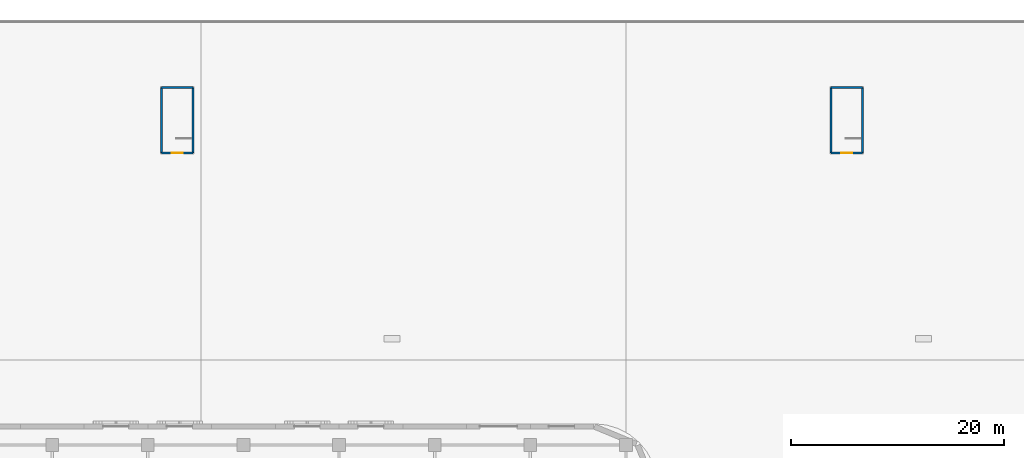
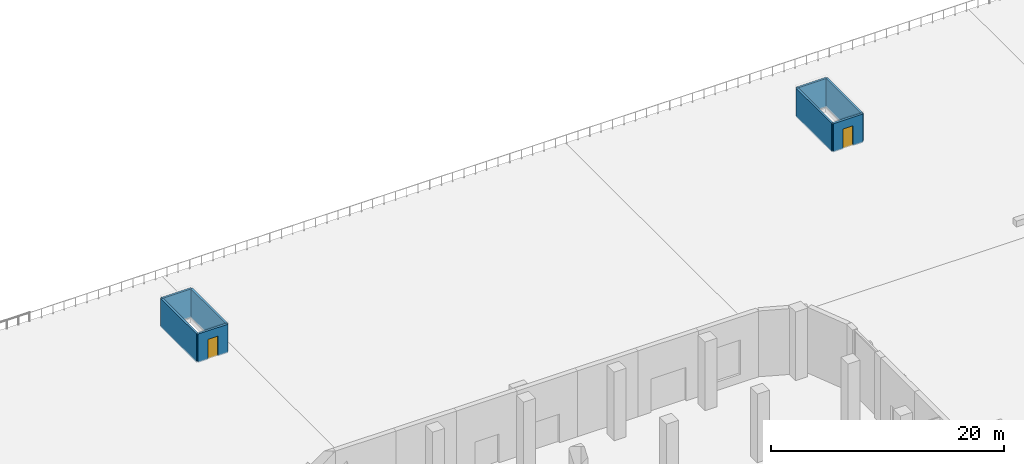
# One storey, part 34 of 48: 8 walls, 2 doors, 2 openings.
"""IFC4 building model written with IfcOpenShell, lengths in metres."""

import ifcopenshell
import ifcopenshell.guid

model = None  # the IFC model being written
_history = None  # IfcOwnerHistory: only IFC2X3 demands one
_inside = {}  # id of a spatial element -> (the spatial element, [elements in it])
_under = {}  # id of a project, library or spatial element -> (it, [spatial elements below it])
_declared = {}  # id of a project -> (the project, [libraries it declares])
_typed = {}  # id of a type object -> (the type object, [elements of that type])
_made_of = {}  # id of a material, layer set ... -> (it, [elements and type objects made of it])


def new_model(schema):
    """Start an empty IFC model of exactly this schema.

    Asked for "IFC4X3", IfcOpenShell would pick the latest addendum, in which some entities
    have other attributes; the version numbers below select the first issue.
    IFC2X3 requires an IfcOwnerHistory on every rooted entity: one is made here for all.
    """
    global model, _history
    if schema == "IFC4X3":
        model = ifcopenshell.file(schema_version=(4, 3, 0, 0))
    else:
        model = ifcopenshell.file(schema=schema)
    _inside.clear()
    _under.clear()
    _declared.clear()
    _typed.clear()
    _made_of.clear()
    _history = None
    if model.schema == "IFC2X3":
        org = make("IfcOrganization", Name="unknown")
        user = make(
            "IfcPersonAndOrganization",
            ThePerson=make("IfcPerson", FamilyName="unknown"),
            TheOrganization=org,
        )
        app = make(
            "IfcApplication",
            ApplicationDeveloper=org,
            Version="unknown",
            ApplicationFullName="unknown",
            ApplicationIdentifier="unknown",
        )
        _history = make(
            "IfcOwnerHistory",
            OwningUser=user,
            OwningApplication=app,
            ChangeAction="ADDED",
            CreationDate=0,
        )
    return model


def make(cls, **values):
    """One entity of the class cls with the attributes given. An attribute that is None is left unset."""
    return model.create_entity(
        cls, **{name: value for name, value in values.items() if value is not None}
    )


def rooted(cls, **values):
    """An entity with a GlobalId (a new one), such as an element, a storey or a relation."""
    return make(cls, GlobalId=ifcopenshell.guid.new(), OwnerHistory=_history, **values)


def si_unit(unit_type, name, prefix=None):
    """IfcSIUnit, for example si_unit("LENGTHUNIT", "METRE", prefix="MILLI")."""
    return make("IfcSIUnit", UnitType=unit_type, Prefix=prefix, Name=name)


def assignment(units):
    """IfcUnitAssignment: the units of a project."""
    return None if units is None else make("IfcUnitAssignment", Units=units)


def point(xyz):
    """IfcCartesianPoint."""
    return None if xyz is None else make("IfcCartesianPoint", Coordinates=xyz)


def direction(xyz):
    """IfcDirection."""
    return None if xyz is None else make("IfcDirection", DirectionRatios=xyz)


def frame(location, z_axis=None, x_axis=None):
    """IfcAxis2Placement3D, a coordinate frame: its origin and axes. An axis left out is left unset."""
    return make(
        "IfcAxis2Placement3D",
        Location=point(location),
        Axis=direction(z_axis),
        RefDirection=direction(x_axis),
    )


def frame_2d(location, x_axis=None):
    """IfcAxis2Placement2D, a coordinate frame in the plane: its origin and x axis."""
    return make(
        "IfcAxis2Placement2D", Location=point(location), RefDirection=direction(x_axis)
    )


def origin():
    """The frame at (0, 0, 0) with its axes left unset."""
    return frame((0.0, 0.0, 0.0))


def place(relative_to, where):
    """IfcLocalPlacement: puts the frame where relative to a parent placement (None: the world)."""
    return make(
        "IfcLocalPlacement", PlacementRelTo=relative_to, RelativePlacement=where
    )


def context(
    kind, dimensions, precision=None, world=None, true_north=None, identifier=None
):
    """IfcGeometricRepresentationContext, for example the 3D "Model" context."""
    return make(
        "IfcGeometricRepresentationContext",
        ContextIdentifier=identifier,
        ContextType=kind,
        CoordinateSpaceDimension=dimensions,
        Precision=precision,
        WorldCoordinateSystem=world,
        TrueNorth=true_north,
    )


def subcontext(parent, identifier, kind, view, scale=None):
    """IfcGeometricRepresentationSubContext, for example "Body" below "Model"."""
    return make(
        "IfcGeometricRepresentationSubContext",
        ContextIdentifier=identifier,
        ContextType=kind,
        ParentContext=parent,
        TargetScale=scale,
        TargetView=view,
    )


def project(units=None, contexts=None):
    """IfcProject with its units and contexts."""
    return rooted(
        "IfcProject",
        Name="project",
        RepresentationContexts=contexts,
        UnitsInContext=assignment(units),
    )


def spatial(cls, under=None, at=None, **own):
    """A site, building, storey or space (cls), placed at a placement, below another one or the project."""
    s = rooted(cls, ObjectPlacement=at, **own)
    if under is not None:
        _under.setdefault(under.id(), (under, []))[1].append(s)
    return s


def profile(cls, at=None, kind="AREA", **sizes):
    """A parametric profile (cls). Its sizes go by their IFC names, for example OverallWidth=200.0."""
    return make(cls, ProfileType=kind, Position=at, **sizes)


def rectangle(**sizes):
    """IfcRectangleProfileDef."""
    return profile("IfcRectangleProfileDef", **sizes)


def extrude(swept, where, along, depth):
    """IfcExtrudedAreaSolid: the profile swept, set in the frame where, extruded along a direction by depth."""
    return make(
        "IfcExtrudedAreaSolid",
        SweptArea=swept,
        Position=where,
        ExtrudedDirection=direction(along),
        Depth=depth,
    )


def shape(context_of_items, identifier, shape_type, items):
    """IfcShapeRepresentation: the items that make up one representation, for example the "Body"."""
    return make(
        "IfcShapeRepresentation",
        ContextOfItems=context_of_items,
        RepresentationIdentifier=identifier,
        RepresentationType=shape_type,
        Items=items,
    )


def material(Name=None, Category=None):
    """IfcMaterial."""
    return make("IfcMaterial", Name=Name, Category=Category)


def layer(
    of_material, thickness, ventilated=None, Name=None, Category=None, Priority=None
):
    """IfcMaterialLayer: one layer of a wall or slab, of a material (None: an air gap)."""
    return make(
        "IfcMaterialLayer",
        Material=of_material,
        LayerThickness=thickness,
        IsVentilated=ventilated,
        Name=Name,
        Category=Category,
        Priority=Priority,
    )


def layer_set(layers, Name=None):
    """IfcMaterialLayerSet."""
    return make("IfcMaterialLayerSet", MaterialLayers=layers, LayerSetName=Name)


def made_of(thing, what):
    """Note that an element or type object is made of a material, layer set ...; save() writes the relation."""
    if what is not None:
        _made_of.setdefault(what.id(), (what, []))[1].append(thing)
    return thing


def type_object(cls, material=None, **own):
    """A type object (cls), such as IfcWallType, which elements share."""
    return made_of(rooted(cls, **own), material)


def element(
    cls,
    number,
    at=None,
    inside=None,
    cuts=None,
    type_object=None,
    material=None,
    context=None,
    identifier="Body",
    shape_type=None,
    held_by="IfcProductDefinitionShape",
    body=None,
    shapes=None,
    **own,
):
    """One element of the class cls, such as IfcWall. Its Tag is "e" and its number.

    at: its placement. inside: the storey or other place that contains it. cuts: it is an
    opening in that element (IfcRelVoidsElement). A single representation is given by context,
    identifier, shape_type and body (its items); several are given by shapes. held_by: the class
    of the entity that holds the representations. save() writes the other relations.
    """
    e = rooted(cls, Tag="e%d" % number, ObjectPlacement=at, **own)
    if body is not None:
        shapes = [shape(context, identifier, shape_type, body)]
    if shapes is not None:
        e.Representation = make(held_by, Representations=shapes)
    if inside is not None:
        _inside.setdefault(inside.id(), (inside, []))[1].append(e)
    if cuts is not None:
        rooted(
            "IfcRelVoidsElement", RelatingBuildingElement=cuts, RelatedOpeningElement=e
        )
    if type_object is not None:
        _typed.setdefault(type_object.id(), (type_object, []))[1].append(e)
    return made_of(e, material)


def fill(opening, filler):
    """IfcRelFillsElement: the door or window that sits in an opening."""
    return rooted(
        "IfcRelFillsElement",
        RelatingOpeningElement=opening,
        RelatedBuildingElement=filler,
    )


def aggregate(whole, parts):
    """IfcRelAggregates: a whole, such as a stair, and the parts it consists of."""
    return rooted("IfcRelAggregates", RelatingObject=whole, RelatedObjects=parts)


def save(model, path):
    """Write the relations noted so far, then the file.

    IfcRelAggregates (storeys below a building ...), IfcRelContainedInSpatialStructure (elements
    in a storey), IfcRelDefinesByType, IfcRelAssociatesMaterial and IfcRelDeclares: one each for
    every whole, place, type object, material and project.
    """
    for whole, parts in _under.values():
        aggregate(whole, parts)
    for where, things in _inside.values():
        rooted(
            "IfcRelContainedInSpatialStructure",
            RelatedElements=things,
            RelatingStructure=where,
        )
    for kind, things in _typed.values():
        rooted("IfcRelDefinesByType", RelatedObjects=things, RelatingType=kind)
    for what, things in _made_of.values():
        rooted("IfcRelAssociatesMaterial", RelatedObjects=things, RelatingMaterial=what)
    for by, libraries in _declared.values():
        rooted("IfcRelDeclares", RelatingContext=by, RelatedDefinitions=libraries)
    model.write(path)


model = new_model("IFC4")

# Units and contexts
model_context = context("Model", 3, precision=1e-05, world=origin(), true_north=direction((0.0, 1.0)))
body_context = subcontext(model_context, "Body", "Model", "MODEL_VIEW")
ifc_project = project(units=[si_unit("LENGTHUNIT", "METRE"), si_unit("AREAUNIT", "SQUARE_METRE"), si_unit("VOLUMEUNIT", "CUBIC_METRE"), si_unit("PLANEANGLEUNIT", "RADIAN"), si_unit("MASSUNIT", "GRAM", prefix="KILO")], contexts=[model_context])

# Site, building, storey
site_placement = place(None, origin())
site = spatial("IfcSite", under=ifc_project, at=site_placement, CompositionType="ELEMENT")
building_placement = place(site_placement, origin())
building = spatial("IfcBuilding", under=site, at=building_placement, Name="Ogive Gate Towers", CompositionType="ELEMENT")
storey_placement = place(building_placement, origin())
storey = spatial("IfcBuildingStorey", under=building, at=storey_placement, Name="L00", CompositionType="ELEMENT", Elevation=0.0)

# Wall, opening, door
ifc_material_1 = material(Name="Concrete C32/40", Category="concrete")
ifc_layer = layer(ifc_material_1, 0.199951171875)
ifc_layer_set = layer_set([ifc_layer], Name="Stair house wall 200")
wall_type = type_object("IfcWallType", Name="Stair house wall 200", PredefinedType="SOLIDWALL", material=ifc_layer_set)
wall_1_placement = place(storey_placement, frame((31.25, 63.5, 0.0), z_axis=(0.0, 0.0, 1.0), x_axis=(-1.0, 0.0, 0.0)))
wall_1 = element("IfcWall", 1, at=wall_1_placement, inside=storey, type_object=wall_type, Name="CS3 stair house wall 1", PredefinedType="SOLIDWALL", context=body_context, shape_type="SweptSolid", body=[
    extrude(rectangle(XDim=2.949951171875, YDim=0.199951171875, at=frame_2d((1.47509765625, 0.0))), origin(), (0.0, 0.0, 1.0), 3.0),
])
opening_1_placement = place(wall_1_placement, frame((0.97509765625, 0.0, 0.0)))
opening_1 = element("IfcOpeningElement", 2, at=opening_1_placement, cuts=wall_1, Name="Opening CPD33-L00", PredefinedType="OPENING", context=body_context, shape_type="SweptSolid", body=[
    extrude(rectangle(XDim=1.0, YDim=2.10009765625, at=frame_2d((0.5, 1.050048828125))), frame((0.0, 0.10986328125, 0.0), z_axis=(0.0, -1.0, 0.0), x_axis=(1.0, 0.0, 0.0)), (0.0, 0.0, 1.0), 0.219970703125),
])
ifc_material_2 = material(Name="Painted steel door", Category="steel")
door_type = type_object("IfcDoorType", Name="Stair house door 1000 x 2100", OperationType="SINGLE_SWING_LEFT", PredefinedType="DOOR", material=ifc_material_2)
door_1_placement = place(opening_1_placement, origin())
door_1 = element("IfcDoor", 3, at=door_1_placement, inside=storey, type_object=door_type, Name="Door CS3 discharge", OperationType="SINGLE_SWING_LEFT", OverallHeight=2.10009765625, OverallWidth=1.0, PredefinedType="DOOR", context=body_context, shape_type="SweptSolid", body=[
    extrude(rectangle(XDim=1.0, YDim=2.10009765625, at=frame_2d((0.5, 1.050048828125))), frame((0.0, 0.02490234375, 0.0), z_axis=(0.0, -1.0, 0.0), x_axis=(1.0, 0.0, 0.0)), (0.0, 0.0, 1.0), 0.050048828125),
])
fill(opening_1, door_1)

# Walls
wall_2_placement = place(storey_placement, frame((28.300048828125, 63.5, 0.0), z_axis=(0.0, 0.0, 1.0), x_axis=(0.0, 1.0, 0.0)))
element("IfcWall", 4, at=wall_2_placement, inside=storey, type_object=wall_type, Name="CS3 stair house wall 2", PredefinedType="SOLIDWALL", context=body_context, shape_type="SweptSolid", body=[
    extrude(rectangle(XDim=6.159912109375, YDim=0.199951171875, at=frame_2d((3.080078125, 0.0))), origin(), (0.0, 0.0, 1.0), 3.0),
])
wall_3_placement = place(storey_placement, frame((28.300048828125, 69.659912109375, 0.0), z_axis=(0.0, 0.0, 1.0), x_axis=(1.0, 0.0, 0.0)))
element("IfcWall", 5, at=wall_3_placement, inside=storey, type_object=wall_type, Name="CS3 stair house wall 3", PredefinedType="SOLIDWALL", context=body_context, shape_type="SweptSolid", body=[
    extrude(rectangle(XDim=2.949951171875, YDim=0.199951171875, at=frame_2d((1.47509765625, 0.0))), origin(), (0.0, 0.0, 1.0), 3.0),
])
wall_4_placement = place(storey_placement, frame((31.25, 69.659912109375, 0.0), z_axis=(0.0, 0.0, 1.0), x_axis=(0.0, -1.0, 0.0)))
element("IfcWall", 6, at=wall_4_placement, inside=storey, type_object=wall_type, Name="CS3 stair house wall 4", PredefinedType="SOLIDWALL", context=body_context, shape_type="SweptSolid", body=[
    extrude(rectangle(XDim=6.159912109375, YDim=0.199951171875, at=frame_2d((3.080078125, 0.0))), origin(), (0.0, 0.0, 1.0), 3.0),
])

# Wall, opening, door
wall_5_placement = place(storey_placement, frame((94.25, 63.5, 0.0), z_axis=(0.0, 0.0, 1.0), x_axis=(-1.0, 0.0, 0.0)))
wall_5 = element("IfcWall", 7, at=wall_5_placement, inside=storey, type_object=wall_type, Name="CS4 stair house wall 1", PredefinedType="SOLIDWALL", context=body_context, shape_type="SweptSolid", body=[
    extrude(rectangle(XDim=2.949951171875, YDim=0.199951171875, at=frame_2d((1.47509765625, 0.0))), origin(), (0.0, 0.0, 1.0), 3.0),
])
opening_2_placement = place(wall_5_placement, frame((0.97509765625, 0.0, 0.0)))
opening_2 = element("IfcOpeningElement", 8, at=opening_2_placement, cuts=wall_5, Name="Opening CPD34-L00", PredefinedType="OPENING", context=body_context, shape_type="SweptSolid", body=[
    extrude(rectangle(XDim=1.0, YDim=2.10009765625, at=frame_2d((0.5, 1.050048828125))), frame((0.0, 0.10986328125, 0.0), z_axis=(0.0, -1.0, 0.0), x_axis=(1.0, 0.0, 0.0)), (0.0, 0.0, 1.0), 0.219970703125),
])
door_2_placement = place(opening_2_placement, origin())
door_2 = element("IfcDoor", 9, at=door_2_placement, inside=storey, type_object=door_type, Name="Door CS4 discharge", OperationType="SINGLE_SWING_LEFT", OverallHeight=2.10009765625, OverallWidth=1.0, PredefinedType="DOOR", context=body_context, shape_type="SweptSolid", body=[
    extrude(rectangle(XDim=1.0, YDim=2.10009765625, at=frame_2d((0.5, 1.050048828125))), frame((0.0, 0.02490234375, 0.0), z_axis=(0.0, -1.0, 0.0), x_axis=(1.0, 0.0, 0.0)), (0.0, 0.0, 1.0), 0.050048828125),
])
fill(opening_2, door_2)

# Walls
wall_6_placement = place(storey_placement, frame((91.300048828125, 63.5, 0.0), z_axis=(0.0, 0.0, 1.0), x_axis=(0.0, 1.0, 0.0)))
element("IfcWall", 10, at=wall_6_placement, inside=storey, type_object=wall_type, Name="CS4 stair house wall 2", PredefinedType="SOLIDWALL", context=body_context, shape_type="SweptSolid", body=[
    extrude(rectangle(XDim=6.159912109375, YDim=0.199951171875, at=frame_2d((3.080078125, 0.0))), origin(), (0.0, 0.0, 1.0), 3.0),
])
wall_7_placement = place(storey_placement, frame((91.300048828125, 69.659912109375, 0.0), z_axis=(0.0, 0.0, 1.0), x_axis=(1.0, 0.0, 0.0)))
element("IfcWall", 11, at=wall_7_placement, inside=storey, type_object=wall_type, Name="CS4 stair house wall 3", PredefinedType="SOLIDWALL", context=body_context, shape_type="SweptSolid", body=[
    extrude(rectangle(XDim=2.949951171875, YDim=0.199951171875, at=frame_2d((1.47509765625, 0.0))), origin(), (0.0, 0.0, 1.0), 3.0),
])
wall_8_placement = place(storey_placement, frame((94.25, 69.659912109375, 0.0), z_axis=(0.0, 0.0, 1.0), x_axis=(0.0, -1.0, 0.0)))
element("IfcWall", 12, at=wall_8_placement, inside=storey, type_object=wall_type, Name="CS4 stair house wall 4", PredefinedType="SOLIDWALL", context=body_context, shape_type="SweptSolid", body=[
    extrude(rectangle(XDim=6.159912109375, YDim=0.199951171875, at=frame_2d((3.080078125, 0.0))), origin(), (0.0, 0.0, 1.0), 3.0),
])

save(model, "model.ifc")
